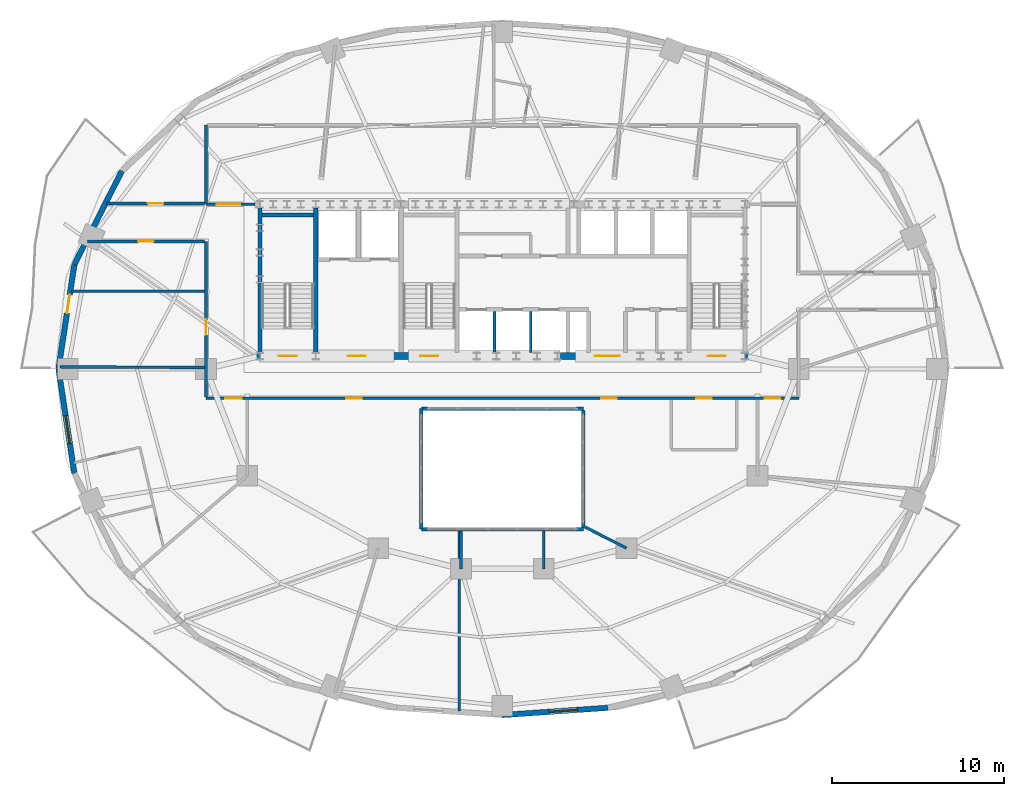
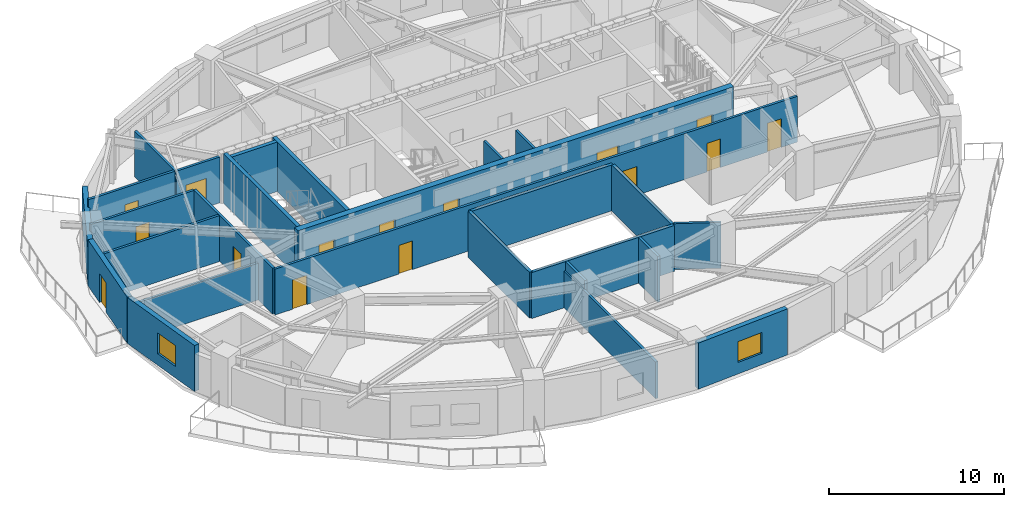
# One storey, part 6 of 13: 26 walls, 15 doors, 2 windows, 17 openings.
"""IFC4 building model written with IfcOpenShell, lengths in metres."""

from ifc_helpers import new_model, si_unit, direction, frame, frame_2d, origin, place, context, subcontext, project, spatial, rectangle, extrude, material, layer, layer_set, type_object, element, fill, save


model = new_model("IFC4")

# Units and contexts
model_context = context("Model", 3, precision=1e-05, world=origin(), true_north=direction((0.0, 1.0)))
body_context = subcontext(model_context, "Body", "Model", "MODEL_VIEW")
ifc_project = project(units=[si_unit("LENGTHUNIT", "METRE"), si_unit("AREAUNIT", "SQUARE_METRE"), si_unit("VOLUMEUNIT", "CUBIC_METRE"), si_unit("PLANEANGLEUNIT", "RADIAN"), si_unit("MASSUNIT", "GRAM", prefix="KILO")], contexts=[model_context])

# Site, building, storey
site_placement = place(None, origin())
site = spatial("IfcSite", under=ifc_project, at=site_placement, CompositionType="ELEMENT")
building_placement = place(site_placement, origin())
building = spatial("IfcBuilding", under=site, at=building_placement, Name="Haldorwick Loom Tower", CompositionType="ELEMENT")
storey_placement = place(building_placement, frame((0.0, 0.0, 175.14990234375)))
storey = spatial("IfcBuildingStorey", under=building, at=storey_placement, Name="L47", CompositionType="ELEMENT", Elevation=175.14990234375)

# Wall
ifc_material_1 = material(Name="Pressed Clay Face Brick and Insulated Masonry Backup Assembly", Category="masonry")
ifc_layer_1 = layer(ifc_material_1, 0.320068359375, Name="Pressed Clay Face Brick and Insulated Masonry Backup Assembly", Category="masonry")
ifc_layer_set_1 = layer_set([ifc_layer_1], Name="Pressed Clay Face Brick and Insulated Masonry Backup Assembly")
wall_type_1 = type_object("IfcWallType", Name="ARC-WL-EXT320", PredefinedType="STANDARD", material=ifc_layer_set_1)
wall_1_placement = place(storey_placement, frame((13.92333984375, 37.481201171875, 0.0), z_axis=(0.0, 0.0, 1.0), x_axis=(-0.453172129629, -0.89142303141, 0.0)))
element("IfcWall", 1, at=wall_1_placement, inside=storey, type_object=wall_type_1, Name="L47 Brick Pier and Spandrel Wall 11", PredefinedType="STANDARD", context=body_context, shape_type="SweptSolid", body=[
    extrude(rectangle(XDim=6.086669921875, YDim=0.320068359375, at=frame_2d((3.04345703125, 0.0))), origin(), (0.0, 0.0, 1.0), 2.64111328125),
])

# Wall, opening, door
wall_2_placement = place(storey_placement, frame((11.1650390625, 32.055419921875, 0.0), z_axis=(0.0, 0.0, 1.0), x_axis=(-0.150544467684, -0.988603238539, 0.0)))
wall_2 = element("IfcWall", 2, at=wall_2_placement, inside=storey, type_object=wall_type_1, Name="L47 Brick Pier and Spandrel Wall 12", PredefinedType="STANDARD", context=body_context, shape_type="SweptSolid", body=[
    extrude(rectangle(XDim=6.125244140625, YDim=0.320068359375, at=frame_2d((3.0625, 0.0))), origin(), (0.0, 0.0, 1.0), 3.210205078125),
])
opening_1_placement = place(wall_2_placement, frame((1.775146484375, 0.0, 0.0)))
opening_1 = element("IfcOpeningElement", 3, at=opening_1_placement, cuts=wall_2, Name="Opening D-BL11", PredefinedType="OPENING", context=body_context, shape_type="SweptSolid", body=[
    extrude(rectangle(XDim=1.080078125, YDim=2.0400390625, at=frame_2d((0.5400390625, 1.02001953125))), frame((0.0, 0.169921875, 0.0), z_axis=(0.0, -1.0, 0.0), x_axis=(1.0, 0.0, 0.0)), (0.0, 0.0, 1.0), 0.340087890625),
])
ifc_material_2 = material(Name="Thermally Broken Anodized Aluminium Curtain Wall Framing", Category="aluminium")
door_type_1 = type_object("IfcDoorType", Name="ARC-DR-BAL110", OperationType="NOTDEFINED", PredefinedType="DOOR", material=ifc_material_2)
door_1_placement = place(opening_1_placement, origin())
door_1 = element("IfcDoor", 4, at=door_1_placement, inside=storey, type_object=door_type_1, Name="L47 Outdoor Terrace Door SLB-L47-BAL_WNW", OperationType="SINGLE_SWING_LEFT", OverallHeight=2.0400390625, OverallWidth=1.080078125, PredefinedType="DOOR", context=body_context, shape_type="SweptSolid", body=[
    extrude(rectangle(XDim=1.080078125, YDim=2.0400390625, at=frame_2d((0.5400390625, 1.02001953125))), frame((0.0, 0.02490234375, 0.0), z_axis=(0.0, -1.0, 0.0), x_axis=(1.0, 0.0, 0.0)), (0.0, 0.0, 1.0), 0.050048828125),
])
fill(opening_1, door_1)

# Wall, opening, window
wall_3_placement = place(storey_placement, frame((10.242919921875, 26.0, 0.0), z_axis=(0.0, 0.0, 1.0), x_axis=(0.150544467684, -0.988603238539, 0.0)))
wall_3 = element("IfcWall", 5, at=wall_3_placement, inside=storey, type_object=wall_type_1, Name="L47 Brick Pier and Spandrel Wall 13", PredefinedType="STANDARD", context=body_context, shape_type="SweptSolid", body=[
    extrude(rectangle(XDim=6.125244140625, YDim=0.320068359375, at=frame_2d((3.0625, 0.0))), origin(), (0.0, 0.0, 1.0), 3.210205078125),
])
opening_2_placement = place(wall_3_placement, frame((2.749755859375, 0.0, 0.800048828125)))
opening_2 = element("IfcOpeningElement", 6, at=opening_2_placement, cuts=wall_3, Name="Opening W-01B", PredefinedType="OPENING", context=body_context, shape_type="SweptSolid", body=[
    extrude(rectangle(XDim=1.64990234375, YDim=1.449951171875, at=frame_2d((0.824951171875, 0.72509765625))), frame((0.0, 0.169921875, 0.0), z_axis=(0.0, -1.0, 0.0), x_axis=(1.0, 0.0, 0.0)), (0.0, 0.0, 1.0), 0.340087890625),
])
ifc_material_3 = material(Name="Triple-Glazed Low-E Argon Insulated Glazing Unit", Category="glass")
window_type = type_object("IfcWindowType", Name="ARC-WIN-W165", PartitioningType="SINGLE_PANEL", PredefinedType="WINDOW", material=ifc_material_3)
window_1_placement = place(opening_2_placement, origin())
window_1 = element("IfcWindow", 7, at=window_1_placement, inside=storey, type_object=window_type, Name="L47 Deep-Set Zone 7A Window 13", OverallHeight=1.449951171875, OverallWidth=1.64990234375, PartitioningType="SINGLE_PANEL", PredefinedType="WINDOW", context=body_context, shape_type="SweptSolid", body=[
    extrude(rectangle(XDim=1.64990234375, YDim=1.449951171875, at=frame_2d((0.824951171875, 0.72509765625))), frame((0.0, 0.030029296875, 0.0), z_axis=(0.0, -1.0, 0.0), x_axis=(1.0, 0.0, 0.0)), (0.0, 0.0, 1.0), 0.06005859375),
])
fill(opening_2, window_1)

wall_4_placement = place(storey_placement, frame((36.0, 5.915283203125, 0.0), z_axis=(0.0, 0.0, 1.0), x_axis=(0.997652942988, 0.068473391522, 0.0)))
wall_4 = element("IfcWall", 8, at=wall_4_placement, inside=storey, type_object=wall_type_1, Name="L47 Brick Pier and Spandrel Wall 19", PredefinedType="STANDARD", context=body_context, shape_type="SweptSolid", body=[
    extrude(rectangle(XDim=6.143310546875, YDim=0.320068359375, at=frame_2d((3.07177734375, 0.0))), origin(), (0.0, 0.0, 1.0), 3.210205078125),
])
opening_3_placement = place(wall_4_placement, frame((2.723388671875, 0.0, 0.800048828125)))
opening_3 = element("IfcOpeningElement", 9, at=opening_3_placement, cuts=wall_4, Name="Opening W-01B", PredefinedType="OPENING", context=body_context, shape_type="SweptSolid", body=[
    extrude(rectangle(XDim=1.64990234375, YDim=1.449951171875, at=frame_2d((0.824951171875, 0.72509765625))), frame((0.0, 0.169921875, 0.0), z_axis=(0.0, -1.0, 0.0), x_axis=(1.0, 0.0, 0.0)), (0.0, 0.0, 1.0), 0.340087890625),
])
window_2_placement = place(opening_3_placement, origin())
window_2 = element("IfcWindow", 10, at=window_2_placement, inside=storey, type_object=window_type, Name="L47 Deep-Set Zone 7A Window 19", OverallHeight=1.449951171875, OverallWidth=1.64990234375, PartitioningType="SINGLE_PANEL", PredefinedType="WINDOW", context=body_context, shape_type="SweptSolid", body=[
    extrude(rectangle(XDim=1.64990234375, YDim=1.449951171875, at=frame_2d((0.824951171875, 0.72509765625))), frame((0.0, 0.030029296875, 0.0), z_axis=(0.0, -1.0, 0.0), x_axis=(1.0, 0.0, 0.0)), (0.0, 0.0, 1.0), 0.06005859375),
])
fill(opening_3, window_2)

# Wall, openings, doors
ifc_material_4 = material(Name="Fire-Rated Type X Gypsum Stud Assembly EI 60")
ifc_layer_2 = layer(ifc_material_4, 0.159912109375, Name="Fire-Rated Type X Gypsum Stud Assembly EI 60")
ifc_layer_set_2 = layer_set([ifc_layer_2], Name="Fire-Rated Type X Gypsum Stud Assembly EI 60")
wall_type_2 = type_object("IfcWallType", Name="ARC-WL-FIRE160", PredefinedType="PARTITIONING", material=ifc_layer_set_2)
wall_5_placement = place(storey_placement, frame((18.800048828125, 24.300048828125, 0.0), z_axis=(0.0, 0.0, 1.0), x_axis=(1.0, 0.0, 0.0)))
wall_5 = element("IfcWall", 11, at=wall_5_placement, inside=storey, type_object=wall_type_2, Name="L47 Residential Fire Partition L47-CR-SP", PredefinedType="PARTITIONING", context=body_context, shape_type="SweptSolid", body=[
    extrude(rectangle(XDim=34.39990234375, YDim=0.159912109375, at=frame_2d((17.199951171875, 0.0))), origin(), (0.0, 0.0, 1.0), 3.195068359375),
])
opening_4_placement = place(wall_5_placement, frame((22.92431640625, 0.0, 0.0)))
opening_4 = element("IfcOpeningElement", 12, at=opening_4_placement, cuts=wall_5, Name="Opening D-FD60A", PredefinedType="OPENING", context=body_context, shape_type="SweptSolid", body=[
    extrude(rectangle(XDim=0.89990234375, YDim=2.0, at=frame_2d((0.449951171875, 1.0))), frame((0.0, 0.08984375, 0.0), z_axis=(0.0, -1.0, 0.0), x_axis=(1.0, 0.0, 0.0)), (0.0, 0.0, 1.0), 0.179931640625),
])
opening_5_placement = place(wall_5_placement, frame((8.14990234375, 0.0, 0.0)))
opening_5 = element("IfcOpeningElement", 13, at=opening_5_placement, cuts=wall_5, Name="Opening D-FD60A", PredefinedType="OPENING", context=body_context, shape_type="SweptSolid", body=[
    extrude(rectangle(XDim=0.89990234375, YDim=2.0, at=frame_2d((0.449951171875, 1.0))), frame((0.0, 0.08984375, 0.0), z_axis=(0.0, -1.0, 0.0), x_axis=(1.0, 0.0, 0.0)), (0.0, 0.0, 1.0), 0.179931640625),
])
opening_6_placement = place(wall_5_placement, frame((28.437255859375, 0.0, 0.0)))
opening_6 = element("IfcOpeningElement", 14, at=opening_6_placement, cuts=wall_5, Name="Opening D-FD60A", PredefinedType="OPENING", context=body_context, shape_type="SweptSolid", body=[
    extrude(rectangle(XDim=0.89990234375, YDim=2.0, at=frame_2d((0.449951171875, 1.0))), frame((0.0, 0.08984375, 0.0), z_axis=(0.0, -1.0, 0.0), x_axis=(1.0, 0.0, 0.0)), (0.0, 0.0, 1.0), 0.179931640625),
])
opening_7_placement = place(wall_5_placement, frame((1.130859375, 0.0, 0.0)))
opening_7 = element("IfcOpeningElement", 15, at=opening_7_placement, cuts=wall_5, Name="Opening D-FL95", PredefinedType="OPENING", context=body_context, shape_type="SweptSolid", body=[
    extrude(rectangle(XDim=0.949951171875, YDim=2.0400390625, at=frame_2d((0.47509765625, 1.02001953125))), frame((0.0, 0.08984375, 0.0), z_axis=(0.0, -1.0, 0.0), x_axis=(1.0, 0.0, 0.0)), (0.0, 0.0, 1.0), 0.179931640625),
])
opening_8_placement = place(wall_5_placement, frame((32.436767578125, 0.0, 0.0)))
opening_8 = element("IfcOpeningElement", 16, at=opening_8_placement, cuts=wall_5, Name="Opening D-FD60A", PredefinedType="OPENING", context=body_context, shape_type="SweptSolid", body=[
    extrude(rectangle(XDim=0.89990234375, YDim=2.0, at=frame_2d((0.449951171875, 1.0))), frame((0.0, 0.08984375, 0.0), z_axis=(0.0, -1.0, 0.0), x_axis=(1.0, 0.0, 0.0)), (0.0, 0.0, 1.0), 0.179931640625),
])
ifc_material_5 = material(Name="Hollow Steel Fire Door Assembly", Category="steel")
door_type_2 = type_object("IfcDoorType", Name="ARC-DR-FD60-90", OperationType="NOTDEFINED", PredefinedType="DOOR", material=ifc_material_5)
door_2_placement = place(opening_4_placement, origin())
door_2 = element("IfcDoor", 17, at=door_2_placement, inside=storey, type_object=door_type_2, Name="L47 L47 Central Residential Corridor to Community Library Hall 1 Door", OperationType="SINGLE_SWING_RIGHT", OverallHeight=2.0, OverallWidth=0.89990234375, PredefinedType="DOOR", context=body_context, shape_type="SweptSolid", body=[
    extrude(rectangle(XDim=0.89990234375, YDim=2.0, at=frame_2d((0.449951171875, 1.0))), frame((0.0, 0.02490234375, 0.0), z_axis=(0.0, -1.0, 0.0), x_axis=(1.0, 0.0, 0.0)), (0.0, 0.0, 1.0), 0.050048828125),
])
fill(opening_4, door_2)
door_3_placement = place(opening_5_placement, origin())
door_3 = element("IfcDoor", 18, at=door_3_placement, inside=storey, type_object=door_type_2, Name="L47 L47 Central Residential Corridor to Community Library Hall 2 Door", OperationType="SINGLE_SWING_LEFT", OverallHeight=2.0, OverallWidth=0.89990234375, PredefinedType="DOOR", context=body_context, shape_type="SweptSolid", body=[
    extrude(rectangle(XDim=0.89990234375, YDim=2.0, at=frame_2d((0.449951171875, 1.0))), frame((0.0, 0.02490234375, 0.0), z_axis=(0.0, -1.0, 0.0), x_axis=(1.0, 0.0, 0.0)), (0.0, 0.0, 1.0), 0.050048828125),
])
fill(opening_5, door_3)
door_4_placement = place(opening_6_placement, origin())
door_4 = element("IfcDoor", 19, at=door_4_placement, inside=storey, type_object=door_type_2, Name="L47 L47 Central Residential Corridor to Common Accessible WC Door", OperationType="SINGLE_SWING_RIGHT", OverallHeight=2.0, OverallWidth=0.89990234375, PredefinedType="DOOR", context=body_context, shape_type="SweptSolid", body=[
    extrude(rectangle(XDim=0.89990234375, YDim=2.0, at=frame_2d((0.449951171875, 1.0))), frame((0.0, 0.02490234375, 0.0), z_axis=(0.0, -1.0, 0.0), x_axis=(1.0, 0.0, 0.0)), (0.0, 0.0, 1.0), 0.050048828125),
])
fill(opening_6, door_4)
door_5_placement = place(opening_8_placement, origin())
door_5 = element("IfcDoor", 20, at=door_5_placement, inside=storey, type_object=door_type_2, Name="L47 L47 Central Residential Corridor to Craft Hobby Hall 2 Door", OperationType="SINGLE_SWING_RIGHT", OverallHeight=2.0, OverallWidth=0.89990234375, PredefinedType="DOOR", context=body_context, shape_type="SweptSolid", body=[
    extrude(rectangle(XDim=0.89990234375, YDim=2.0, at=frame_2d((0.449951171875, 1.0))), frame((0.0, 0.02490234375, 0.0), z_axis=(0.0, -1.0, 0.0), x_axis=(1.0, 0.0, 0.0)), (0.0, 0.0, 1.0), 0.050048828125),
])
fill(opening_8, door_5)
ifc_material_6 = material(Name="Solid Core Birch Architectural Door")
door_type_3 = type_object("IfcDoorType", Name="ARC-DR-FLAT95", OperationType="NOTDEFINED", PredefinedType="DOOR", material=ifc_material_6)
door_6_placement = place(opening_7_placement, origin())
door_6 = element("IfcDoor", 21, at=door_6_placement, inside=storey, type_object=door_type_3, Name="L47 L47 Central Residential Corridor to Unit 47E Kitchen and Living Room", OperationType="SINGLE_SWING_LEFT", OverallHeight=2.0400390625, OverallWidth=0.949951171875, PredefinedType="DOOR", context=body_context, shape_type="SweptSolid", body=[
    extrude(rectangle(XDim=0.949951171875, YDim=2.0400390625, at=frame_2d((0.47509765625, 1.02001953125))), frame((0.0, 0.02490234375, 0.0), z_axis=(0.0, -1.0, 0.0), x_axis=(1.0, 0.0, 0.0)), (0.0, 0.0, 1.0), 0.050048828125),
])
fill(opening_7, door_6)

# Wall, opening, door
wall_6_placement = place(storey_placement, frame((18.800048828125, 24.383056640625, 0.0), z_axis=(0.0, 0.0, 1.0), x_axis=(0.0, 1.0, 0.0)))
wall_6 = element("IfcWall", 22, at=wall_6_placement, inside=storey, type_object=wall_type_2, Name="L47 Residential Fire Partition L47-CR-W0A", PredefinedType="PARTITIONING", context=body_context, shape_type="SweptSolid", body=[
    extrude(rectangle(XDim=9.016845703125, YDim=0.159912109375, at=frame_2d((4.50830078125, 0.0))), origin(), (0.0, 0.0, 1.0), 3.195068359375),
])
opening_9_placement = place(wall_6_placement, frame((3.584716796875, 0.0, 0.0)))
opening_9 = element("IfcOpeningElement", 23, at=opening_9_placement, cuts=wall_6, Name="Opening D-FD60A", PredefinedType="OPENING", context=body_context, shape_type="SweptSolid", body=[
    extrude(rectangle(XDim=0.89990234375, YDim=2.0, at=frame_2d((0.449951171875, 1.0))), frame((0.0, 0.08984375, 0.0), z_axis=(0.0, -1.0, 0.0), x_axis=(1.0, 0.0, 0.0)), (0.0, 0.0, 1.0), 0.179931640625),
])
door_7_placement = place(opening_9_placement, frame((0.89990234375, 0.0, 0.0), z_axis=(0.0, 0.0, 1.0), x_axis=(-1.0, 0.0, 0.0)))
door_7 = element("IfcDoor", 24, at=door_7_placement, inside=storey, type_object=door_type_2, Name="L47 Youth Club Hall 1 to L47 Central Residential Corridor Door", OperationType="SINGLE_SWING_LEFT", OverallHeight=2.0, OverallWidth=0.89990234375, PredefinedType="DOOR", context=body_context, shape_type="SweptSolid", body=[
    extrude(rectangle(XDim=0.89990234375, YDim=2.0, at=frame_2d((0.449951171875, 1.0))), frame((0.0, 0.02490234375, 0.0), z_axis=(0.0, -1.0, 0.0), x_axis=(1.0, 0.0, 0.0)), (0.0, 0.0, 1.0), 0.050048828125),
])
fill(opening_9, door_7)

# Wall
wall_7_placement = place(storey_placement, frame((18.800048828125, 35.60009765625, 0.0), z_axis=(0.0, 0.0, 1.0), x_axis=(0.0, 1.0, 0.0)))
element("IfcWall", 25, at=wall_7_placement, inside=storey, type_object=wall_type_2, Name="L47 Residential Fire Partition L47-CR-W0B", PredefinedType="PARTITIONING", context=body_context, shape_type="SweptSolid", body=[
    extrude(rectangle(XDim=4.5498046875, YDim=0.159912109375, at=frame_2d((2.27490234375, 0.0))), origin(), (0.0, 0.0, 1.0), 3.195068359375),
])

# Wall, opening, door
wall_8_placement = place(storey_placement, frame((11.921630859375, 33.39990234375, 0.0), z_axis=(0.0, 0.0, 1.0), x_axis=(1.0, 0.0, 0.0)))
wall_8 = element("IfcWall", 26, at=wall_8_placement, inside=storey, type_object=wall_type_2, Name="L47 Residential Fire Partition L47-CR-GW0", PredefinedType="PARTITIONING", context=body_context, shape_type="SweptSolid", body=[
    extrude(rectangle(XDim=6.79541015625, YDim=0.159912109375, at=frame_2d((3.397705078125, 0.0))), origin(), (0.0, 0.0, 1.0), 3.195068359375),
])
opening_10_placement = place(wall_8_placement, frame((2.94775390625, 0.0, 0.0)))
opening_10 = element("IfcOpeningElement", 27, at=opening_10_placement, cuts=wall_8, Name="Opening D-FD60A", PredefinedType="OPENING", context=body_context, shape_type="SweptSolid", body=[
    extrude(rectangle(XDim=0.89990234375, YDim=2.0, at=frame_2d((0.449951171875, 1.0))), frame((0.0, 0.08984375, 0.0), z_axis=(0.0, -1.0, 0.0), x_axis=(1.0, 0.0, 0.0)), (0.0, 0.0, 1.0), 0.179931640625),
])
door_8_placement = place(opening_10_placement, frame((0.89990234375, 0.0, 0.0), z_axis=(0.0, 0.0, 1.0), x_axis=(-1.0, 0.0, 0.0)))
door_8 = element("IfcDoor", 28, at=door_8_placement, inside=storey, type_object=door_type_2, Name="L47 L47 Central Residential Corridor to Remote Work Office 6 Door", OperationType="SINGLE_SWING_RIGHT", OverallHeight=2.0, OverallWidth=0.89990234375, PredefinedType="DOOR", context=body_context, shape_type="SweptSolid", body=[
    extrude(rectangle(XDim=0.89990234375, YDim=2.0, at=frame_2d((0.449951171875, 1.0))), frame((0.0, 0.02490234375, 0.0), z_axis=(0.0, -1.0, 0.0), x_axis=(1.0, 0.0, 0.0)), (0.0, 0.0, 1.0), 0.050048828125),
])
fill(opening_10, door_8)

wall_9_placement = place(storey_placement, frame((13.039794921875, 35.60009765625, 0.0), z_axis=(0.0, 0.0, 1.0), x_axis=(1.0, 0.0, 0.0)))
wall_9 = element("IfcWall", 29, at=wall_9_placement, inside=storey, type_object=wall_type_2, Name="L47 Residential Fire Partition L47-CR-GW1", PredefinedType="PARTITIONING", context=body_context, shape_type="SweptSolid", body=[
    extrude(rectangle(XDim=5.67724609375, YDim=0.159912109375, at=frame_2d((2.838623046875, 0.0))), origin(), (0.0, 0.0, 1.0), 3.195068359375),
])
opening_11_placement = place(wall_9_placement, frame((2.388427734375, 0.0, 0.0)))
opening_11 = element("IfcOpeningElement", 30, at=opening_11_placement, cuts=wall_9, Name="Opening D-FD60A", PredefinedType="OPENING", context=body_context, shape_type="SweptSolid", body=[
    extrude(rectangle(XDim=0.89990234375, YDim=2.0, at=frame_2d((0.449951171875, 1.0))), frame((0.0, 0.08984375, 0.0), z_axis=(0.0, -1.0, 0.0), x_axis=(1.0, 0.0, 0.0)), (0.0, 0.0, 1.0), 0.179931640625),
])
door_9_placement = place(opening_11_placement, frame((0.89990234375, 0.0, 0.0), z_axis=(0.0, 0.0, 1.0), x_axis=(-1.0, 0.0, 0.0)))
door_9 = element("IfcDoor", 31, at=door_9_placement, inside=storey, type_object=door_type_2, Name="L47 Community Library Hall 2 to L47 Central Residential Corridor Door", OperationType="SINGLE_SWING_LEFT", OverallHeight=2.0, OverallWidth=0.89990234375, PredefinedType="DOOR", context=body_context, shape_type="SweptSolid", body=[
    extrude(rectangle(XDim=0.89990234375, YDim=2.0, at=frame_2d((0.449951171875, 1.0))), frame((0.0, 0.02490234375, 0.0), z_axis=(0.0, -1.0, 0.0), x_axis=(1.0, 0.0, 0.0)), (0.0, 0.0, 1.0), 0.050048828125),
])
fill(opening_11, door_9)

wall_10_placement = place(storey_placement, frame((18.800048828125, 35.550048828125, 0.0), z_axis=(0.0, 0.0, 1.0), x_axis=(1.0, 0.0, 0.0)))
wall_10 = element("IfcWall", 32, at=wall_10_placement, inside=storey, type_object=wall_type_2, Name="L47 Residential Fire Partition L47-CR-WNC", PredefinedType="PARTITIONING", context=body_context, shape_type="SweptSolid", body=[
    extrude(rectangle(XDim=2.849853515625, YDim=0.159912109375, at=frame_2d((1.4248046875, 0.0))), origin(), (0.0, 0.0, 1.0), 3.195068359375),
])
opening_12_placement = place(wall_10_placement, frame((0.6328125, 0.0, 0.0)))
opening_12 = element("IfcOpeningElement", 33, at=opening_12_placement, cuts=wall_10, Name="Opening D-CR15", PredefinedType="OPENING", context=body_context, shape_type="SweptSolid", body=[
    extrude(rectangle(XDim=1.35009765625, YDim=2.0, at=frame_2d((0.675048828125, 1.0))), frame((0.0, 0.08984375, 0.0), z_axis=(0.0, -1.0, 0.0), x_axis=(1.0, 0.0, 0.0)), (0.0, 0.0, 1.0), 0.179931640625),
])
ifc_material_7 = material(Name="Thermally Broken Anodized Aluminium and Tempered Glass", Category="aluminium")
door_type_4 = type_object("IfcDoorType", Name="ARC-DR-COR150", OperationType="NOTDEFINED", PredefinedType="DOOR", material=ifc_material_7)
door_10_placement = place(opening_12_placement, origin())
door_10 = element("IfcDoor", 34, at=door_10_placement, inside=storey, type_object=door_type_4, Name="L47 L47 North Residential Corridor to L47 Central Residential Corridor D", OperationType="DOUBLE_DOOR_SINGLE_SWING", OverallHeight=2.0, OverallWidth=1.35009765625, PredefinedType="DOOR", context=body_context, shape_type="SweptSolid", body=[
    extrude(rectangle(XDim=1.35009765625, YDim=2.0, at=frame_2d((0.675048828125, 1.0))), frame((0.0, 0.02490234375, 0.0), z_axis=(0.0, -1.0, 0.0), x_axis=(1.0, 0.0, 0.0)), (0.0, 0.0, 1.0), 0.050048828125),
])
fill(opening_12, door_10)

# Walls
wall_11_placement = place(storey_placement, frame((33.5, 6.152099609375, 0.0), z_axis=(0.0, 0.0, 1.0), x_axis=(0.0, 1.0, 0.0)))
element("IfcWall", 35, at=wall_11_placement, inside=storey, type_object=wall_type_2, Name="L47 Residential Fire Partition L47-SBP-0", PredefinedType="PARTITIONING", context=body_context, shape_type="SweptSolid", body=[
    extrude(rectangle(XDim=10.44482421875, YDim=0.159912109375, at=frame_2d((5.222412109375, 0.0))), origin(), (0.0, 0.0, 1.0), 2.568115234375),
])
wall_12_placement = place(storey_placement, frame((40.802978515625, 16.822021484375, 0.0), z_axis=(0.0, 0.0, 1.0), x_axis=(0.890915506237, -0.454169088278, 0.0)))
element("IfcWall", 36, at=wall_12_placement, inside=storey, type_object=wall_type_2, Name="L47 Residential Fire Partition L47-ICA-04", PredefinedType="PARTITIONING", context=body_context, shape_type="SweptSolid", body=[
    extrude(rectangle(XDim=2.6904296875, YDim=0.159912109375, at=frame_2d((1.34521484375, 0.0))), origin(), (0.0, 0.0, 1.0), 3.195068359375),
])
for number, where, z_axis, x_axis, name in (
    (37, (38.39990234375, 16.596923828125, 0.0), (0.0, 0.0, 1.0), (0.0, -1.0, 0.0), "L47 Residential Fire Partition L47-ICA-05"),
    (38, (33.60009765625, 16.596923828125, 0.0), (0.0, 0.0, 1.0), (0.0, -1.0, 0.0), "L47 Residential Fire Partition L47-ICA-06"),
):
    element("IfcWall", number, at=place(storey_placement, frame(where, z_axis=z_axis, x_axis=x_axis)), inside=storey, type_object=wall_type_2, Name=name, PredefinedType="PARTITIONING", context=body_context, shape_type="SweptSolid", body=[
        extrude(rectangle(XDim=2.197021484375, YDim=0.159912109375, at=frame_2d((1.0986328125, 0.0))), origin(), (0.0, 0.0, 1.0), 3.195068359375),
    ])
wall_13_placement = place(storey_placement, frame((10.993896484375, 30.5, 0.0), z_axis=(0.0, 0.0, 1.0), x_axis=(1.0, 0.0, 0.0)))
element("IfcWall", 39, at=wall_13_placement, inside=storey, type_object=wall_type_2, Name="L47 Residential Fire Partition L47-FLW-15", PredefinedType="PARTITIONING", context=body_context, shape_type="SweptSolid", body=[
    extrude(rectangle(XDim=7.72314453125, YDim=0.159912109375, at=frame_2d((3.861572265625, 0.0))), origin(), (0.0, 0.0, 1.0), 3.195068359375),
])
wall_14_placement = place(storey_placement, frame((18.717041015625, 26.079833984375, 0.0), z_axis=(0.0, 0.0, 1.0), x_axis=(-0.999989297153, 0.004626616372, 0.0)))
element("IfcWall", 40, at=wall_14_placement, inside=storey, type_object=wall_type_2, Name="L47 Suite Split Wall", PredefinedType="PARTITIONING", context=body_context, shape_type="SweptSolid", body=[
    extrude(rectangle(XDim=8.39013671875, YDim=0.159912109375, at=frame_2d((4.195068359375, 0.0))), origin(), (0.0, 0.0, 1.0), 2.568115234375),
])
ifc_material_8 = material(Name="Fire-Rated Type X Gypsum Stud Assembly EI 120")
ifc_layer_3 = layer(ifc_material_8, 0.199951171875, Name="Fire-Rated Type X Gypsum Stud Assembly EI 120")
ifc_layer_set_3 = layer_set([ifc_layer_3], Name="Fire-Rated Type X Gypsum Stud Assembly EI 120")
wall_type_3 = type_object("IfcWallType", Name="ARC-WL-FIRE200", PredefinedType="PARTITIONING", material=ifc_layer_set_3)
for number, where, z_axis, x_axis, name in (
    (41, (31.300048828125, 23.699951171875, 0.0), (0.0, 0.0, 1.0), (1.0, 0.0, 0.0), "L47 Atrium Fire Enclosure Wall N"),
    (42, (40.699951171875, 16.699951171875, 0.0), (0.0, 0.0, 1.0), (-1.0, 0.0, 0.0), "L47 Atrium Fire Enclosure Wall S"),
):
    element("IfcWall", number, at=place(storey_placement, frame(where, z_axis=z_axis, x_axis=x_axis)), inside=storey, type_object=wall_type_3, Name=name, PredefinedType="PARTITIONING", context=body_context, shape_type="SweptSolid", body=[
        extrude(rectangle(XDim=9.39990234375, YDim=0.199951171875, at=frame_2d((4.699951171875, 0.0))), origin(), (0.0, 0.0, 1.0), 3.195068359375),
    ])
wall_15_placement = place(storey_placement, frame((31.300048828125, 16.699951171875, 0.0), z_axis=(0.0, 0.0, 1.0), x_axis=(0.0, 1.0, 0.0)))
element("IfcWall", 43, at=wall_15_placement, inside=storey, type_object=wall_type_3, Name="L47 Atrium Fire Enclosure Wall W", PredefinedType="PARTITIONING", context=body_context, shape_type="SweptSolid", body=[
    extrude(rectangle(XDim=7.0, YDim=0.199951171875, at=frame_2d((3.5, 0.0))), origin(), (0.0, 0.0, 1.0), 3.195068359375),
])
wall_16_placement = place(storey_placement, frame((40.699951171875, 23.596923828125, 0.0), z_axis=(0.0, 0.0, 1.0), x_axis=(0.0, -1.0, 0.0)))
element("IfcWall", 44, at=wall_16_placement, inside=storey, type_object=wall_type_3, Name="L47 Atrium Fire Enclosure Wall E", PredefinedType="PARTITIONING", context=body_context, shape_type="SweptSolid", body=[
    extrude(rectangle(XDim=6.7939453125, YDim=0.199951171875, at=frame_2d((3.39697265625, 0.0))), origin(), (0.0, 0.0, 1.0), 3.195068359375),
])
ifc_layer_4 = layer(ifc_material_8, 0.1650390625, Name="Fire-Rated Type X Gypsum Stud Assembly EI 120")
ifc_layer_set_4 = layer_set([ifc_layer_4], Name="Fire-Rated Type X Gypsum Stud Assembly EI 120")
wall_type_4 = type_object("IfcWallType", Name="ARC-WL-SHAFT160", PredefinedType="MOVABLE", material=ifc_layer_set_4)
for number, where, z_axis, x_axis, name in (
    (45, (35.550048828125, 26.952880859375, 0.0), (0.0, 0.0, 1.0), (0.0, 1.0, 0.0), "L47 Mid-Rise Hoistway Divider 1"),
    (46, (37.64990234375, 26.952880859375, 0.0), (0.0, 0.0, 1.0), (0.0, 1.0, 0.0), "L47 Mid-Rise Hoistway Divider 2"),
):
    element("IfcWall", number, at=place(storey_placement, frame(where, z_axis=z_axis, x_axis=x_axis)), inside=storey, type_object=wall_type_4, Name=name, PredefinedType="MOVABLE", context=body_context, shape_type="SweptSolid", body=[
        extrude(rectangle(XDim=2.3740234375, YDim=0.159912109375, at=frame_2d((1.18701171875, 0.0))), origin(), (0.0, 0.0, 1.0), 3.195068359375),
    ])

# Wall, openings, doors
ifc_material_9 = material(Name="Concrete C50 (50 MPa)", Category="concrete")
ifc_layer_5 = layer(ifc_material_9, 0.39990234375, Name="Concrete C50 (50 MPa)", Category="concrete")
ifc_layer_set_5 = layer_set([ifc_layer_5], Name="Concrete C50 (50 MPa)")
wall_type_5 = type_object("IfcWallType", Name="STR-WL-CORE400", PredefinedType="SHEAR", material=ifc_layer_set_5)
wall_17_placement = place(storey_placement, frame((21.64990234375, 26.75, 0.0), z_axis=(0.0, 0.0, 1.0), x_axis=(1.0, 0.0, 0.0)))
wall_17 = element("IfcWall", 47, at=wall_17_placement, inside=storey, type_object=wall_type_5, Name="L47 Core Shear Wall S", PredefinedType="SHEAR", context=body_context, shape_type="SweptSolid", body=[
    extrude(rectangle(XDim=28.7001953125, YDim=0.39990234375, at=frame_2d((14.35009765625, 0.0))), origin(), (0.0, 0.0, 1.0), 3.4501953125),
])
opening_13_placement = place(wall_17_placement, frame((1.375, 0.0, 0.0)))
opening_13 = element("IfcOpeningElement", 48, at=opening_13_placement, cuts=wall_17, Name="Opening D-FD60", PredefinedType="OPENING", context=body_context, shape_type="SweptSolid", body=[
    extrude(rectangle(XDim=1.050048828125, YDim=2.0, at=frame_2d((0.52490234375, 1.0))), frame((0.0, 0.2099609375, 0.0), z_axis=(0.0, -1.0, 0.0), x_axis=(1.0, 0.0, 0.0)), (0.0, 0.0, 1.0), 0.419921875),
])
opening_14_placement = place(wall_17_placement, frame((5.375, 0.0, 0.0)))
opening_14 = element("IfcOpeningElement", 49, at=opening_14_placement, cuts=wall_17, Name="Opening D-FD60", PredefinedType="OPENING", context=body_context, shape_type="SweptSolid", body=[
    extrude(rectangle(XDim=1.050048828125, YDim=2.0, at=frame_2d((0.52490234375, 1.0))), frame((0.0, 0.2099609375, 0.0), z_axis=(0.0, -1.0, 0.0), x_axis=(1.0, 0.0, 0.0)), (0.0, 0.0, 1.0), 0.419921875),
])
opening_15_placement = place(wall_17_placement, frame((9.574951171875, 0.0, 0.0)))
opening_15 = element("IfcOpeningElement", 50, at=opening_15_placement, cuts=wall_17, Name="Opening D-FD60", PredefinedType="OPENING", context=body_context, shape_type="SweptSolid", body=[
    extrude(rectangle(XDim=1.050048828125, YDim=2.0, at=frame_2d((0.52490234375, 1.0))), frame((0.0, 0.2099609375, 0.0), z_axis=(0.0, -1.0, 0.0), x_axis=(1.0, 0.0, 0.0)), (0.0, 0.0, 1.0), 0.419921875),
])
opening_16_placement = place(wall_17_placement, frame((19.705078125, 0.0, 0.0)))
opening_16 = element("IfcOpeningElement", 51, at=opening_16_placement, cuts=wall_17, Name="Opening D-LB15", PredefinedType="OPENING", context=body_context, shape_type="SweptSolid", body=[
    extrude(rectangle(XDim=1.449951171875, YDim=2.0, at=frame_2d((0.72509765625, 1.0))), frame((0.0, 0.2099609375, 0.0), z_axis=(0.0, -1.0, 0.0), x_axis=(1.0, 0.0, 0.0)), (0.0, 0.0, 1.0), 0.419921875),
])
opening_17_placement = place(wall_17_placement, frame((26.27490234375, 0.0, 0.0)))
opening_17 = element("IfcOpeningElement", 52, at=opening_17_placement, cuts=wall_17, Name="Opening D-FD60", PredefinedType="OPENING", context=body_context, shape_type="SweptSolid", body=[
    extrude(rectangle(XDim=1.050048828125, YDim=2.0, at=frame_2d((0.52490234375, 1.0))), frame((0.0, 0.2099609375, 0.0), z_axis=(0.0, -1.0, 0.0), x_axis=(1.0, 0.0, 0.0)), (0.0, 0.0, 1.0), 0.419921875),
])
door_type_5 = type_object("IfcDoorType", Name="ARC-DR-FD60", OperationType="NOTDEFINED", PredefinedType="DOOR", material=ifc_material_5)
door_11_placement = place(opening_13_placement, origin())
door_11 = element("IfcDoor", 53, at=door_11_placement, inside=storey, type_object=door_type_5, Name="L47 Exit Stair ST-01 Fire Door", OperationType="SINGLE_SWING_LEFT", OverallHeight=2.0, OverallWidth=1.050048828125, PredefinedType="DOOR", context=body_context, shape_type="SweptSolid", body=[
    extrude(rectangle(XDim=1.050048828125, YDim=2.0, at=frame_2d((0.52490234375, 1.0))), frame((0.0, 0.02490234375, 0.0), z_axis=(0.0, -1.0, 0.0), x_axis=(1.0, 0.0, 0.0)), (0.0, 0.0, 1.0), 0.050048828125),
])
fill(opening_13, door_11)
door_12_placement = place(opening_14_placement, origin())
door_12 = element("IfcDoor", 54, at=door_12_placement, inside=storey, type_object=door_type_5, Name="L47 Firefighting Lift Lobby Fire Door", OperationType="SINGLE_SWING_RIGHT", OverallHeight=2.0, OverallWidth=1.050048828125, PredefinedType="DOOR", context=body_context, shape_type="SweptSolid", body=[
    extrude(rectangle(XDim=1.050048828125, YDim=2.0, at=frame_2d((0.52490234375, 1.0))), frame((0.0, 0.02490234375, 0.0), z_axis=(0.0, -1.0, 0.0), x_axis=(1.0, 0.0, 0.0)), (0.0, 0.0, 1.0), 0.050048828125),
])
fill(opening_14, door_12)
door_13_placement = place(opening_15_placement, origin())
door_13 = element("IfcDoor", 55, at=door_13_placement, inside=storey, type_object=door_type_5, Name="L47 Exit Stair ST-03 Fire Door", OperationType="SINGLE_SWING_LEFT", OverallHeight=2.0, OverallWidth=1.050048828125, PredefinedType="DOOR", context=body_context, shape_type="SweptSolid", body=[
    extrude(rectangle(XDim=1.050048828125, YDim=2.0, at=frame_2d((0.52490234375, 1.0))), frame((0.0, 0.02490234375, 0.0), z_axis=(0.0, -1.0, 0.0), x_axis=(1.0, 0.0, 0.0)), (0.0, 0.0, 1.0), 0.050048828125),
])
fill(opening_15, door_13)
door_14_placement = place(opening_17_placement, origin())
door_14 = element("IfcDoor", 56, at=door_14_placement, inside=storey, type_object=door_type_5, Name="L47 Exit Stair ST-02 Fire Door", OperationType="SINGLE_SWING_LEFT", OverallHeight=2.0, OverallWidth=1.050048828125, PredefinedType="DOOR", context=body_context, shape_type="SweptSolid", body=[
    extrude(rectangle(XDim=1.050048828125, YDim=2.0, at=frame_2d((0.52490234375, 1.0))), frame((0.0, 0.02490234375, 0.0), z_axis=(0.0, -1.0, 0.0), x_axis=(1.0, 0.0, 0.0)), (0.0, 0.0, 1.0), 0.050048828125),
])
fill(opening_17, door_14)
door_type_6 = type_object("IfcDoorType", Name="ARC-DR-LOB150", OperationType="NOTDEFINED", PredefinedType="DOOR", material=ifc_material_7)
door_15_placement = place(opening_16_placement, frame((1.449951171875, 0.0, 0.0), z_axis=(0.0, 0.0, 1.0), x_axis=(-1.0, 0.0, 0.0)))
door_15 = element("IfcDoor", 57, at=door_15_placement, inside=storey, type_object=door_type_6, Name="L47 Passenger Lift Lobby Fire Door", OperationType="DOUBLE_DOOR_SINGLE_SWING", OverallHeight=2.0, OverallWidth=1.449951171875, PredefinedType="DOOR", context=body_context, shape_type="SweptSolid", body=[
    extrude(rectangle(XDim=1.449951171875, YDim=2.0, at=frame_2d((0.72509765625, 1.0))), frame((0.0, 0.02490234375, 0.0), z_axis=(0.0, -1.0, 0.0), x_axis=(1.0, 0.0, 0.0)), (0.0, 0.0, 1.0), 0.050048828125),
])
fill(opening_16, door_15)

# Walls
ifc_layer_6 = layer(ifc_material_9, 0.239990234375, Name="Concrete C50 (50 MPa)", Category="concrete")
ifc_layer_set_6 = layer_set([ifc_layer_6], Name="Concrete C50 (50 MPa)")
wall_type_6 = type_object("IfcWallType", Name="STR-WL-SHAFT240", PredefinedType="SHEAR", material=ifc_layer_set_6)
for number, where, z_axis, x_axis, name in (
    (58, (21.929931640625, 35.346923828125, 0.0), (0.0, 0.0, 1.0), (0.0, -1.0, 0.0), "L47 Core Shear Wall W"),
    (59, (25.169921875, 26.952880859375, 0.0), (0.0, 0.0, 1.0), (0.0, 1.0, 0.0), "L47 Core Shear Wall 1"),
):
    element("IfcWall", number, at=place(storey_placement, frame(where, z_axis=z_axis, x_axis=x_axis)), inside=storey, type_object=wall_type_6, Name=name, PredefinedType="SHEAR", context=body_context, shape_type="SweptSolid", body=[
        extrude(rectangle(XDim=8.39404296875, YDim=0.239990234375, at=frame_2d((4.197021484375, 0.0))), origin(), (0.0, 0.0, 1.0), 3.4501953125),
    ])
wall_18_placement = place(storey_placement, frame((22.052978515625, 34.919921875, 0.0), z_axis=(0.0, 0.0, 1.0), x_axis=(1.0, 0.0, 0.0)))
element("IfcWall", 60, at=wall_18_placement, inside=storey, type_object=wall_type_6, Name="L47 Core Shear Wall 1N", PredefinedType="SHEAR", context=body_context, shape_type="SweptSolid", body=[
    extrude(rectangle(XDim=2.994140625, YDim=0.239990234375, at=frame_2d((1.4970703125, 0.0))), origin(), (0.0, 0.0, 1.0), 3.4501953125),
])

save(model, "model.ifc")
